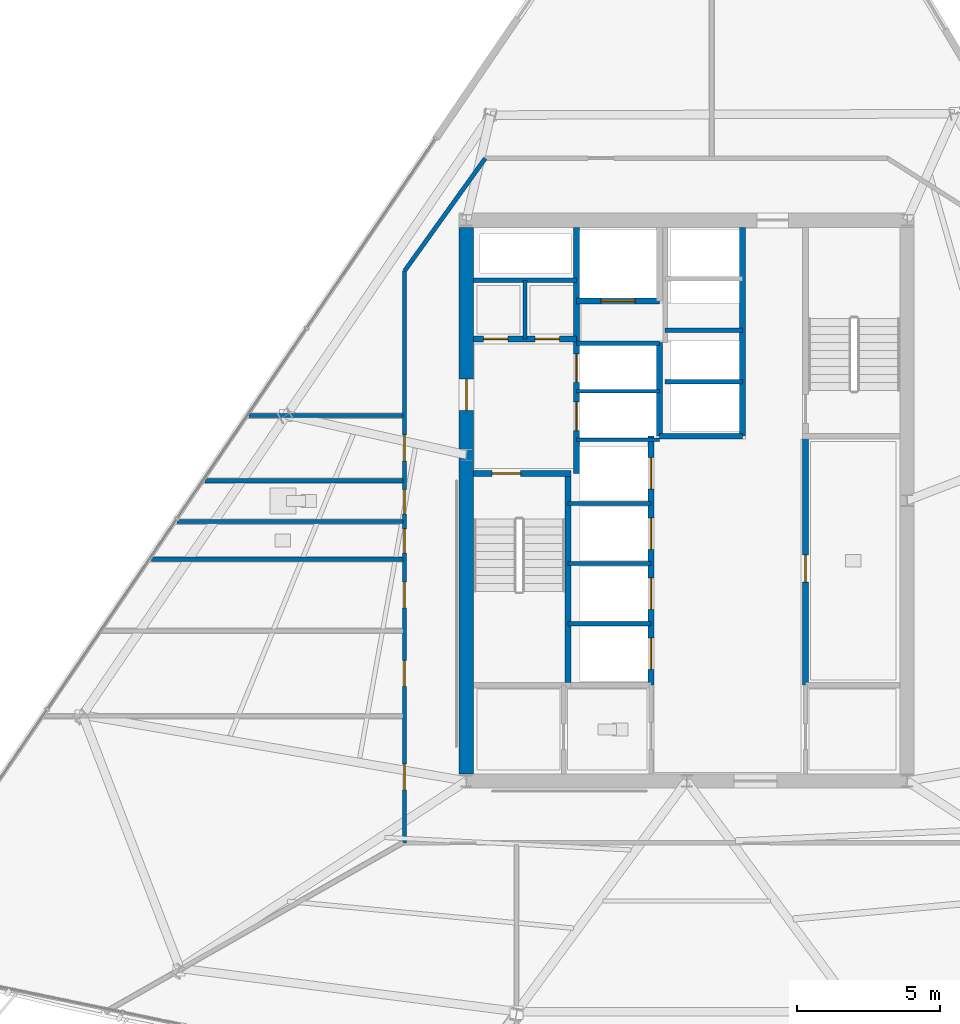
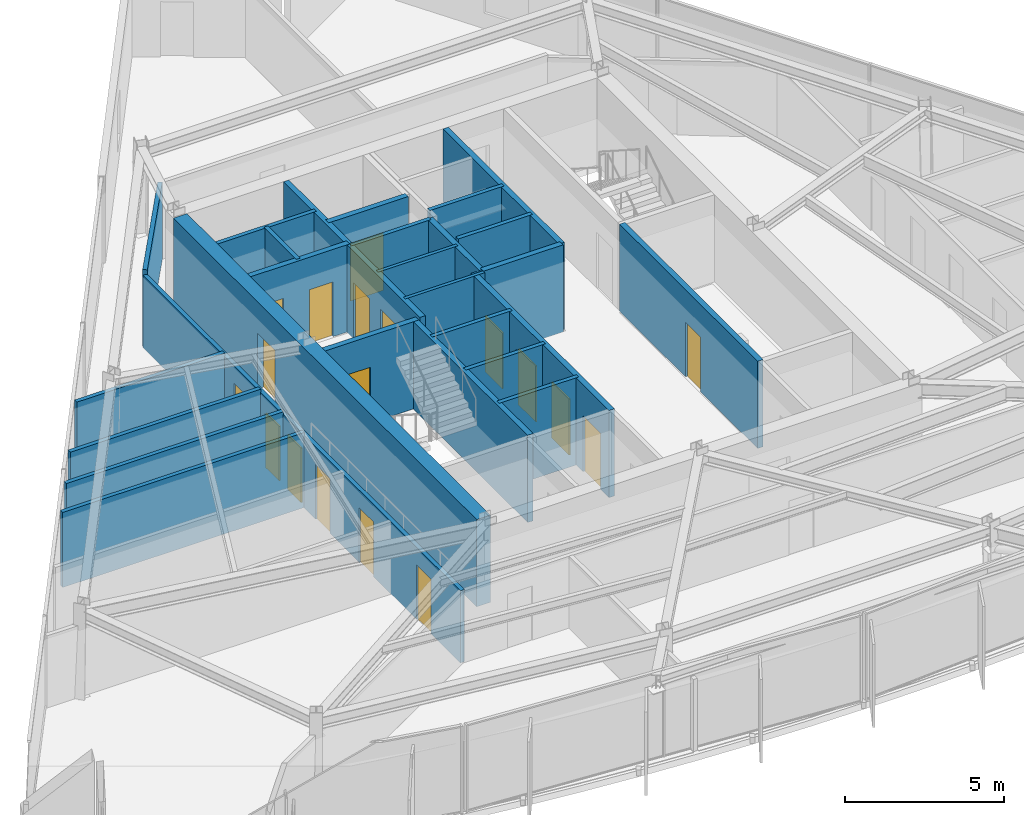
# One storey, part 9 of 16: 27 walls, 18 doors, 18 openings.
"""IFC4 building model written with IfcOpenShell, lengths in metres."""

from ifc_helpers import new_model, si_unit, direction, frame, frame_2d, origin, place, context, subcontext, project, spatial, rectangle, extrude, material, layer, layer_set, type_object, element, fill, save


model = new_model("IFC4")

# Units and contexts
model_context = context("Model", 3, precision=1e-05, world=origin(), true_north=direction((0.0, 1.0)))
body_context = subcontext(model_context, "Body", "Model", "MODEL_VIEW")
ifc_project = project(units=[si_unit("LENGTHUNIT", "METRE"), si_unit("AREAUNIT", "SQUARE_METRE"), si_unit("VOLUMEUNIT", "CUBIC_METRE"), si_unit("PLANEANGLEUNIT", "RADIAN"), si_unit("MASSUNIT", "GRAM", prefix="KILO")], contexts=[model_context])

# Site, building, storey
site_placement = place(None, origin())
site = spatial("IfcSite", under=ifc_project, at=site_placement, CompositionType="ELEMENT")
building_placement = place(site_placement, origin())
building = spatial("IfcBuilding", under=site, at=building_placement, Name="Savorim Split Tower", CompositionType="ELEMENT")
storey_placement = place(building_placement, frame((0.0, 0.0, 156.60009765625)))
storey = spatial("IfcBuildingStorey", under=building, at=storey_placement, Name="L41", CompositionType="ELEMENT", Elevation=156.60009765625)

# Wall, opening, door
ifc_material_1 = material(Name="Concrete C60/75", Category="concrete")
ifc_layer_1 = layer(ifc_material_1, 0.5)
ifc_layer_set_1 = layer_set([ifc_layer_1], Name="WAL-COR-SH500")
wall_type_1 = type_object("IfcWallType", Name="WAL-COR-SH500", PredefinedType="SHEAR", material=ifc_layer_set_1)
wall_1_placement = place(storey_placement, frame((-7.699951171875, -9.14990234375, 0.0), z_axis=(0.0, 0.0, 1.0), x_axis=(0.0, 1.0, 0.0)))
wall_1 = element("IfcWall", 1, at=wall_1_placement, inside=storey, type_object=wall_type_1, Name="L41 Offset Core West Shear Wall", PredefinedType="SHEAR", context=body_context, shape_type="SweptSolid", body=[
    extrude(rectangle(XDim=19.099853515625, YDim=0.5, at=frame_2d((9.5498046875, 0.0))), origin(), (0.0, 0.0, 1.0), 3.349853515625),
])
opening_1_placement = place(wall_1_placement, frame((12.699951171875, 0.0, 0.0)))
opening_1 = element("IfcOpeningElement", 2, at=opening_1_placement, cuts=wall_1, Name="Opening DI-03", PredefinedType="OPENING", context=body_context, shape_type="SweptSolid", body=[
    extrude(rectangle(XDim=1.10009765625, YDim=2.14990234375, at=frame_2d((0.550048828125, 1.074951171875))), frame((0.0, 0.260009765625, 0.0), z_axis=(0.0, -1.0, 0.0), x_axis=(1.0, 0.0, 0.0)), (0.0, 0.0, 1.0), 0.52001953125),
])
ifc_material_2 = material(Name="Timber Fire Door Leaf", Category="wood")
door_type_1 = type_object("IfcDoorType", Name="DOR-FIR-1100", OperationType="NOTDEFINED", PredefinedType="DOOR", material=ifc_material_2)
door_1_placement = place(opening_1_placement, origin())
door_1 = element("IfcDoor", 3, at=door_1_placement, inside=storey, type_object=door_type_1, Name="DOR-L41-COR-FFLOB - L41 Firefighting Lobby Corridor Door", OperationType="SINGLE_SWING_LEFT", OverallHeight=2.14990234375, OverallWidth=1.10009765625, PredefinedType="DOOR", context=body_context, shape_type="SweptSolid", body=[
    extrude(rectangle(XDim=1.10009765625, YDim=2.14990234375, at=frame_2d((0.550048828125, 1.074951171875))), frame((0.0, 0.02490234375, 0.0), z_axis=(0.0, -1.0, 0.0), x_axis=(1.0, 0.0, 0.0)), (0.0, 0.0, 1.0), 0.050048828125),
])
fill(opening_1, door_1)

ifc_material_3 = material(Name="Concrete C50/60", Category="concrete")
ifc_layer_2 = layer(ifc_material_3, 0.199951171875)
ifc_layer_set_2 = layer_set([ifc_layer_2], Name="WAL-INT-RC200")
wall_type_2 = type_object("IfcWallType", Name="WAL-INT-RC200", PredefinedType="SOLIDWALL", material=ifc_layer_set_2)
wall_2_placement = place(storey_placement, frame((-7.449951171875, 1.35009765625, 0.0), z_axis=(0.0, 0.0, 1.0), x_axis=(1.0, 0.0, 0.0)))
wall_2 = element("IfcWall", 4, at=wall_2_placement, inside=storey, type_object=wall_type_2, Name="L41 Structural Shaft Wall W-L41-CR01", PredefinedType="SOLIDWALL", context=body_context, shape_type="SweptSolid", body=[
    extrude(rectangle(XDim=3.39990234375, YDim=0.199951171875, at=frame_2d((1.699951171875, 0.0))), origin(), (0.0, 0.0, 1.0), 3.349853515625),
])
opening_2_placement = place(wall_2_placement, frame((0.64990234375, 0.0, 0.0)))
opening_2 = element("IfcOpeningElement", 5, at=opening_2_placement, cuts=wall_2, Name="Opening DI-04", PredefinedType="OPENING", context=body_context, shape_type="SweptSolid", body=[
    extrude(rectangle(XDim=1.0, YDim=2.14990234375, at=frame_2d((0.5, 1.074951171875))), frame((0.0, 0.10986328125, 0.0), z_axis=(0.0, -1.0, 0.0), x_axis=(1.0, 0.0, 0.0)), (0.0, 0.0, 1.0), 0.219970703125),
])
door_type_2 = type_object("IfcDoorType", Name="DOR-FIR-1000", OperationType="NOTDEFINED", PredefinedType="DOOR", material=ifc_material_2)
door_2_placement = place(opening_2_placement, origin())
door_2 = element("IfcDoor", 6, at=door_2_placement, inside=storey, type_object=door_type_2, Name="DR-L41-ST1 - L41 Stair ST-1 Enclosure Door", OperationType="SINGLE_SWING_LEFT", OverallHeight=2.14990234375, OverallWidth=1.0, PredefinedType="DOOR", context=body_context, shape_type="SweptSolid", body=[
    extrude(rectangle(XDim=1.0, YDim=2.14990234375, at=frame_2d((0.5, 1.074951171875))), frame((0.0, 0.02490234375, 0.0), z_axis=(0.0, -1.0, 0.0), x_axis=(1.0, 0.0, 0.0)), (0.0, 0.0, 1.0), 0.050048828125),
])
fill(opening_2, door_2)

# Wall
wall_3_placement = place(storey_placement, frame((-4.14990234375, -5.949951171875, 0.0), z_axis=(0.0, 0.0, 1.0), x_axis=(0.0, 1.0, 0.0)))
element("IfcWall", 7, at=wall_3_placement, inside=storey, type_object=wall_type_2, Name="L41 Structural Shaft Wall W-L41-CR02", PredefinedType="SOLIDWALL", context=body_context, shape_type="SweptSolid", body=[
    extrude(rectangle(XDim=7.199951171875, YDim=0.199951171875, at=frame_2d((3.60009765625, 0.0))), origin(), (0.0, 0.0, 1.0), 3.349853515625),
])

# Wall, openings, doors
wall_4_placement = place(storey_placement, frame((-3.85009765625, 1.35009765625, 0.0), z_axis=(0.0, 0.0, 1.0), x_axis=(0.0, 1.0, 0.0)))
wall_4 = element("IfcWall", 8, at=wall_4_placement, inside=storey, type_object=wall_type_2, Name="L41 Partition W-L41-CR03", PredefinedType="SOLIDWALL", context=body_context, shape_type="SweptSolid", body=[
    extrude(rectangle(XDim=8.594970703125, YDim=0.199951171875, at=frame_2d((4.29736328125, 0.0))), origin(), (0.0, 0.0, 1.0), 3.349853515625),
])
opening_3_placement = place(wall_4_placement, frame((1.5, 0.0, 0.0)))
opening_3 = element("IfcOpeningElement", 9, at=opening_3_placement, cuts=wall_4, Name="Opening LD-FFL", PredefinedType="OPENING", context=body_context, shape_type="SweptSolid", body=[
    extrude(rectangle(XDim=1.0, YDim=2.14990234375, at=frame_2d((0.5, 1.074951171875))), frame((0.0, 0.10986328125, 0.0), z_axis=(0.0, -1.0, 0.0), x_axis=(1.0, 0.0, 0.0)), (0.0, 0.0, 1.0), 0.219970703125),
])
opening_4_placement = place(wall_4_placement, frame((3.179931640625, 0.0, 0.0)))
opening_4 = element("IfcOpeningElement", 10, at=opening_4_placement, cuts=wall_4, Name="Opening LD-FFL", PredefinedType="OPENING", context=body_context, shape_type="SweptSolid", body=[
    extrude(rectangle(XDim=1.0, YDim=2.14990234375, at=frame_2d((0.5, 1.074951171875))), frame((0.0, 0.10986328125, 0.0), z_axis=(0.0, -1.0, 0.0), x_axis=(1.0, 0.0, 0.0)), (0.0, 0.0, 1.0), 0.219970703125),
])
ifc_material_4 = material(Name="Charcoal Anodised Aluminium", Category="aluminium")
door_type_3 = type_object("IfcDoorType", Name="DOR-SLD-LD1000", OperationType="NOTDEFINED", PredefinedType="DOOR", material=ifc_material_4)
door_3_placement = place(opening_3_placement, origin())
door_3 = element("IfcDoor", 11, at=door_3_placement, inside=storey, type_object=door_type_3, Name="DR-L41-LD-FFL1 - L41 Firefighting Lift FFL-1 Sliding Landing Door", OperationType="DOUBLE_DOOR_SLIDING", OverallHeight=2.14990234375, OverallWidth=1.0, PredefinedType="DOOR", context=body_context, shape_type="SweptSolid", body=[
    extrude(rectangle(XDim=1.0, YDim=2.14990234375, at=frame_2d((0.5, 1.074951171875))), frame((0.0, 0.02490234375, 0.0), z_axis=(0.0, -1.0, 0.0), x_axis=(1.0, 0.0, 0.0)), (0.0, 0.0, 1.0), 0.050048828125),
])
fill(opening_3, door_3)
door_4_placement = place(opening_4_placement, origin())
door_4 = element("IfcDoor", 12, at=door_4_placement, inside=storey, type_object=door_type_3, Name="DR-L41-LD-FFL2 - L41 Firefighting Lift FFL-2 Sliding Landing Door", OperationType="DOUBLE_DOOR_SLIDING", OverallHeight=2.14990234375, OverallWidth=1.0, PredefinedType="DOOR", context=body_context, shape_type="SweptSolid", body=[
    extrude(rectangle(XDim=1.0, YDim=2.14990234375, at=frame_2d((0.5, 1.074951171875))), frame((0.0, 0.02490234375, 0.0), z_axis=(0.0, -1.0, 0.0), x_axis=(1.0, 0.0, 0.0)), (0.0, 0.0, 1.0), 0.050048828125),
])
fill(opening_4, door_4)

wall_5_placement = place(storey_placement, frame((-7.445068359375, 6.050048828125, 0.0), z_axis=(0.0, 0.0, 1.0), x_axis=(1.0, 0.0, 0.0)))
wall_5 = element("IfcWall", 13, at=wall_5_placement, inside=storey, type_object=wall_type_2, Name="L41 Partition W-L41-CR04", PredefinedType="SOLIDWALL", context=body_context, shape_type="SweptSolid", body=[
    extrude(rectangle(XDim=3.594970703125, YDim=0.199951171875, at=frame_2d((1.79736328125, 0.0))), origin(), (0.0, 0.0, 1.0), 3.349853515625),
])
opening_5_placement = place(wall_5_placement, frame((0.344970703125, 0.0, 0.0)))
opening_5 = element("IfcOpeningElement", 14, at=opening_5_placement, cuts=wall_5, Name="Opening DI-12", PredefinedType="OPENING", context=body_context, shape_type="SweptSolid", body=[
    extrude(rectangle(XDim=0.85009765625, YDim=2.10009765625, at=frame_2d((0.425048828125, 1.050048828125))), frame((0.0, 0.10986328125, 0.0), z_axis=(0.0, -1.0, 0.0), x_axis=(1.0, 0.0, 0.0)), (0.0, 0.0, 1.0), 0.219970703125),
])
opening_6_placement = place(wall_5_placement, frame((2.14501953125, 0.0, 0.0)))
opening_6 = element("IfcOpeningElement", 15, at=opening_6_placement, cuts=wall_5, Name="Opening DI-12", PredefinedType="OPENING", context=body_context, shape_type="SweptSolid", body=[
    extrude(rectangle(XDim=0.85009765625, YDim=2.10009765625, at=frame_2d((0.425048828125, 1.050048828125))), frame((0.0, 0.10986328125, 0.0), z_axis=(0.0, -1.0, 0.0), x_axis=(1.0, 0.0, 0.0)), (0.0, 0.0, 1.0), 0.219970703125),
])
ifc_material_5 = material(Name="Galvanised Painted Steel Balustrade", Category="steel")
door_type_4 = type_object("IfcDoorType", Name="DOR-RIS-850", OperationType="NOTDEFINED", PredefinedType="DOOR", material=ifc_material_5)
door_5_placement = place(opening_5_placement, origin())
door_5 = element("IfcDoor", 16, at=door_5_placement, inside=storey, type_object=door_type_4, Name="DR-L41-ELR - L41 Electrical Riser Access Door", OperationType="SINGLE_SWING_RIGHT", OverallHeight=2.10009765625, OverallWidth=0.85009765625, PredefinedType="DOOR", context=body_context, shape_type="SweptSolid", body=[
    extrude(rectangle(XDim=0.85009765625, YDim=2.10009765625, at=frame_2d((0.425048828125, 1.050048828125))), frame((0.0, 0.02490234375, 0.0), z_axis=(0.0, -1.0, 0.0), x_axis=(1.0, 0.0, 0.0)), (0.0, 0.0, 1.0), 0.050048828125),
])
fill(opening_5, door_5)
door_6_placement = place(opening_6_placement, origin())
door_6 = element("IfcDoor", 17, at=door_6_placement, inside=storey, type_object=door_type_4, Name="DR-L41-TLR - L41 Telecom Riser Access Door", OperationType="SINGLE_SWING_LEFT", OverallHeight=2.10009765625, OverallWidth=0.85009765625, PredefinedType="DOOR", context=body_context, shape_type="SweptSolid", body=[
    extrude(rectangle(XDim=0.85009765625, YDim=2.10009765625, at=frame_2d((0.425048828125, 1.050048828125))), frame((0.0, 0.02490234375, 0.0), z_axis=(0.0, -1.0, 0.0), x_axis=(1.0, 0.0, 0.0)), (0.0, 0.0, 1.0), 0.050048828125),
])
fill(opening_6, door_6)

# Wall
wall_6_placement = place(storey_placement, frame((-0.949951171875, 2.64990234375, 0.0), z_axis=(0.0, 0.0, 1.0), x_axis=(0.0, 1.0, 0.0)))
element("IfcWall", 18, at=wall_6_placement, inside=storey, type_object=wall_type_2, Name="L41 Partition W-L41-FFLW", PredefinedType="SOLIDWALL", context=body_context, shape_type="SweptSolid", body=[
    extrude(rectangle(XDim=3.27001953125, YDim=0.199951171875, at=frame_2d((1.635009765625, 0.0))), origin(), (0.0, 0.0, 1.0), 3.349853515625),
])

# Wall, opening, door
wall_7_placement = place(storey_placement, frame((-3.85009765625, 7.3798828125, 0.0), z_axis=(0.0, 0.0, 1.0), x_axis=(1.0, 0.0, 0.0)))
wall_7 = element("IfcWall", 19, at=wall_7_placement, inside=storey, type_object=wall_type_2, Name="L41 Partition W-L41-SVLS", PredefinedType="SOLIDWALL", context=body_context, shape_type="SweptSolid", body=[
    extrude(rectangle(XDim=2.900146484375, YDim=0.199951171875, at=frame_2d((1.4501953125, 0.0))), origin(), (0.0, 0.0, 1.0), 3.349853515625),
])
opening_7_placement = place(wall_7_placement, frame((0.85009765625, 0.0, 0.0)))
opening_7 = element("IfcOpeningElement", 20, at=opening_7_placement, cuts=wall_7, Name="Opening LD-SV", PredefinedType="OPENING", context=body_context, shape_type="SweptSolid", body=[
    extrude(rectangle(XDim=1.199951171875, YDim=2.199951171875, at=frame_2d((0.60009765625, 1.10009765625))), frame((0.0, 0.10986328125, 0.0), z_axis=(0.0, -1.0, 0.0), x_axis=(1.0, 0.0, 0.0)), (0.0, 0.0, 1.0), 0.219970703125),
])
door_type_5 = type_object("IfcDoorType", Name="DOR-SLD-SV1200", OperationType="NOTDEFINED", PredefinedType="DOOR", material=ifc_material_4)
door_7_placement = place(opening_7_placement, origin())
door_7 = element("IfcDoor", 21, at=door_7_placement, inside=storey, type_object=door_type_5, Name="DR-L41-LD-SVL1 - L41 Service Lift SVL-1 Sliding Landing Door", OperationType="DOUBLE_DOOR_SLIDING", OverallHeight=2.199951171875, OverallWidth=1.199951171875, PredefinedType="DOOR", context=body_context, shape_type="SweptSolid", body=[
    extrude(rectangle(XDim=1.199951171875, YDim=2.199951171875, at=frame_2d((0.60009765625, 1.10009765625))), frame((0.0, 0.02490234375, 0.0), z_axis=(0.0, -1.0, 0.0), x_axis=(1.0, 0.0, 0.0)), (0.0, 0.0, 1.0), 0.050048828125),
])
fill(opening_7, door_7)

wall_8_placement = place(storey_placement, frame((4.14990234375, -6.050048828125, 0.0), z_axis=(0.0, 0.0, 1.0), x_axis=(0.0, 1.0, 0.0)))
wall_8 = element("IfcWall", 22, at=wall_8_placement, inside=storey, type_object=wall_type_2, Name="L41 Partition W-L41-B1FRONT", PredefinedType="SOLIDWALL", context=body_context, shape_type="SweptSolid", body=[
    extrude(rectangle(XDim=8.699951171875, YDim=0.199951171875, at=frame_2d((4.35009765625, 0.0))), origin(), (0.0, 0.0, 1.0), 3.349853515625),
])
opening_8_placement = place(wall_8_placement, frame((3.60009765625, 0.0, 0.0)))
opening_8 = element("IfcOpeningElement", 23, at=opening_8_placement, cuts=wall_8, Name="Opening DI-05", PredefinedType="OPENING", context=body_context, shape_type="SweptSolid", body=[
    extrude(rectangle(XDim=0.949951171875, YDim=2.10009765625, at=frame_2d((0.47509765625, 1.050048828125))), frame((0.0, 0.10986328125, 0.0), z_axis=(0.0, -1.0, 0.0), x_axis=(1.0, 0.0, 0.0)), (0.0, 0.0, 1.0), 0.219970703125),
])
door_type_6 = type_object("IfcDoorType", Name="DOR-FIR-950", OperationType="NOTDEFINED", PredefinedType="DOOR", material=ifc_material_2)
door_8_placement = place(opening_8_placement, origin())
door_8 = element("IfcDoor", 24, at=door_8_placement, inside=storey, type_object=door_type_6, Name="DR-L41-LV7B1 - L41 Community Laundry Room Door", OperationType="SINGLE_SWING_RIGHT", OverallHeight=2.10009765625, OverallWidth=0.949951171875, PredefinedType="DOOR", context=body_context, shape_type="SweptSolid", body=[
    extrude(rectangle(XDim=0.949951171875, YDim=2.10009765625, at=frame_2d((0.47509765625, 1.050048828125))), frame((0.0, 0.02490234375, 0.0), z_axis=(0.0, -1.0, 0.0), x_axis=(1.0, 0.0, 0.0)), (0.0, 0.0, 1.0), 0.050048828125),
])
fill(opening_8, door_8)

# Wall, openings, doors
wall_9_placement = place(storey_placement, frame((-1.25, -6.050048828125, 0.0), z_axis=(0.0, 0.0, 1.0), x_axis=(0.0, 1.0, 0.0)))
wall_9 = element("IfcWall", 25, at=wall_9_placement, inside=storey, type_object=wall_type_2, Name="L41 Partition W-L41-B2FRONT", PredefinedType="SOLIDWALL", context=body_context, shape_type="SweptSolid", body=[
    extrude(rectangle(XDim=8.699951171875, YDim=0.199951171875, at=frame_2d((4.35009765625, 0.0))), origin(), (0.0, 0.0, 1.0), 3.349853515625),
])
opening_9_placement = place(wall_9_placement, frame((0.550048828125, 0.0, 0.0)))
opening_9 = element("IfcOpeningElement", 26, at=opening_9_placement, cuts=wall_9, Name="Opening LD-02", PredefinedType="OPENING", context=body_context, shape_type="SweptSolid", body=[
    extrude(rectangle(XDim=1.10009765625, YDim=2.14990234375, at=frame_2d((0.550048828125, 1.074951171875))), frame((0.0, 0.10986328125, 0.0), z_axis=(0.0, -1.0, 0.0), x_axis=(1.0, 0.0, 0.0)), (0.0, 0.0, 1.0), 0.219970703125),
])
opening_10_placement = place(wall_9_placement, frame((2.64990234375, 0.0, 0.0)))
opening_10 = element("IfcOpeningElement", 27, at=opening_10_placement, cuts=wall_9, Name="Opening LD-02", PredefinedType="OPENING", context=body_context, shape_type="SweptSolid", body=[
    extrude(rectangle(XDim=1.10009765625, YDim=2.14990234375, at=frame_2d((0.550048828125, 1.074951171875))), frame((0.0, 0.10986328125, 0.0), z_axis=(0.0, -1.0, 0.0), x_axis=(1.0, 0.0, 0.0)), (0.0, 0.0, 1.0), 0.219970703125),
])
opening_11_placement = place(wall_9_placement, frame((4.75, 0.0, 0.0)))
opening_11 = element("IfcOpeningElement", 28, at=opening_11_placement, cuts=wall_9, Name="Opening LD-02", PredefinedType="OPENING", context=body_context, shape_type="SweptSolid", body=[
    extrude(rectangle(XDim=1.10009765625, YDim=2.14990234375, at=frame_2d((0.550048828125, 1.074951171875))), frame((0.0, 0.10986328125, 0.0), z_axis=(0.0, -1.0, 0.0), x_axis=(1.0, 0.0, 0.0)), (0.0, 0.0, 1.0), 0.219970703125),
])
opening_12_placement = place(wall_9_placement, frame((6.85009765625, 0.0, 0.0)))
opening_12 = element("IfcOpeningElement", 29, at=opening_12_placement, cuts=wall_9, Name="Opening LD-02", PredefinedType="OPENING", context=body_context, shape_type="SweptSolid", body=[
    extrude(rectangle(XDim=1.10009765625, YDim=2.14990234375, at=frame_2d((0.550048828125, 1.074951171875))), frame((0.0, 0.10986328125, 0.0), z_axis=(0.0, -1.0, 0.0), x_axis=(1.0, 0.0, 0.0)), (0.0, 0.0, 1.0), 0.219970703125),
])
door_type_7 = type_object("IfcDoorType", Name="DOR-SLD-LDM1100", OperationType="NOTDEFINED", PredefinedType="DOOR", material=ifc_material_4)
door_9_placement = place(opening_9_placement, origin())
door_9 = element("IfcDoor", 30, at=door_9_placement, inside=storey, type_object=door_type_7, Name="DR-L41-LD-PLM1 - L41 Lift PL-M1 Sliding Landing Door", OperationType="DOUBLE_DOOR_SLIDING", OverallHeight=2.14990234375, OverallWidth=1.10009765625, PredefinedType="DOOR", context=body_context, shape_type="SweptSolid", body=[
    extrude(rectangle(XDim=1.10009765625, YDim=2.14990234375, at=frame_2d((0.550048828125, 1.074951171875))), frame((0.0, 0.02490234375, 0.0), z_axis=(0.0, -1.0, 0.0), x_axis=(1.0, 0.0, 0.0)), (0.0, 0.0, 1.0), 0.050048828125),
])
fill(opening_9, door_9)
door_10_placement = place(opening_10_placement, origin())
door_10 = element("IfcDoor", 31, at=door_10_placement, inside=storey, type_object=door_type_7, Name="DR-L41-LD-PLM2 - L41 Lift PL-M2 Sliding Landing Door", OperationType="DOUBLE_DOOR_SLIDING", OverallHeight=2.14990234375, OverallWidth=1.10009765625, PredefinedType="DOOR", context=body_context, shape_type="SweptSolid", body=[
    extrude(rectangle(XDim=1.10009765625, YDim=2.14990234375, at=frame_2d((0.550048828125, 1.074951171875))), frame((0.0, 0.02490234375, 0.0), z_axis=(0.0, -1.0, 0.0), x_axis=(1.0, 0.0, 0.0)), (0.0, 0.0, 1.0), 0.050048828125),
])
fill(opening_10, door_10)
door_11_placement = place(opening_11_placement, origin())
door_11 = element("IfcDoor", 32, at=door_11_placement, inside=storey, type_object=door_type_7, Name="DR-L41-LD-PLM3 - L41 Lift PL-M3 Sliding Landing Door", OperationType="DOUBLE_DOOR_SLIDING", OverallHeight=2.14990234375, OverallWidth=1.10009765625, PredefinedType="DOOR", context=body_context, shape_type="SweptSolid", body=[
    extrude(rectangle(XDim=1.10009765625, YDim=2.14990234375, at=frame_2d((0.550048828125, 1.074951171875))), frame((0.0, 0.02490234375, 0.0), z_axis=(0.0, -1.0, 0.0), x_axis=(1.0, 0.0, 0.0)), (0.0, 0.0, 1.0), 0.050048828125),
])
fill(opening_11, door_11)
door_12_placement = place(opening_12_placement, origin())
door_12 = element("IfcDoor", 33, at=door_12_placement, inside=storey, type_object=door_type_7, Name="DR-L41-LD-PLM4 - L41 Lift PL-M4 Sliding Landing Door", OperationType="DOUBLE_DOOR_SLIDING", OverallHeight=2.14990234375, OverallWidth=1.10009765625, PredefinedType="DOOR", context=body_context, shape_type="SweptSolid", body=[
    extrude(rectangle(XDim=1.10009765625, YDim=2.14990234375, at=frame_2d((0.550048828125, 1.074951171875))), frame((0.0, 0.02490234375, 0.0), z_axis=(0.0, -1.0, 0.0), x_axis=(1.0, 0.0, 0.0)), (0.0, 0.0, 1.0), 0.050048828125),
])
fill(opening_12, door_12)

# Walls
wall_10_placement = place(storey_placement, frame((1.949951171875, 2.64990234375, 0.0), z_axis=(0.0, 0.0, 1.0), x_axis=(0.0, 1.0, 0.0)))
element("IfcWall", 34, at=wall_10_placement, inside=storey, type_object=wall_type_2, Name="L41 Partition W-L41-B3FRONT", PredefinedType="SOLIDWALL", context=body_context, shape_type="SweptSolid", body=[
    extrude(rectangle(XDim=7.295166015625, YDim=0.199951171875, at=frame_2d((3.6474609375, 0.0))), origin(), (0.0, 0.0, 1.0), 3.349853515625),
])
wall_11_placement = place(storey_placement, frame((-0.949951171875, 2.64990234375, 0.0), z_axis=(0.0, 0.0, 1.0), x_axis=(1.0, 0.0, 0.0)))
element("IfcWall", 35, at=wall_11_placement, inside=storey, type_object=wall_type_2, Name="L41 Partition W-L41-B3SOUTH", PredefinedType="SOLIDWALL", context=body_context, shape_type="SweptSolid", body=[
    extrude(rectangle(XDim=2.89990234375, YDim=0.199951171875, at=frame_2d((1.449951171875, 0.0))), origin(), (0.0, 0.0, 1.0), 3.349853515625),
])
ifc_material_6 = material(Name="Acoustic Gypsum Partition Board")
ifc_layer_3 = layer(ifc_material_6, 0.1201171875)
ifc_layer_set_3 = layer_set([ifc_layer_3], Name="WAL-PAR-120")
wall_type_3 = type_object("IfcWallType", Name="WAL-PAR-120", PredefinedType="PARTITIONING", material=ifc_layer_set_3)
for number, where, z_axis, x_axis, name in (
    (36, (-3.85009765625, 2.52001953125, 0.0), (0.0, 0.0, 1.0), (1.0, 0.0, 0.0), "L41 Partition W-L41-FFLD0"),
    (37, (-3.85009765625, 4.219970703125, 0.0), (0.0, 0.0, 1.0), (1.0, 0.0, 0.0), "L41 Partition W-L41-FFLD1"),
):
    element("IfcWall", number, at=place(storey_placement, frame(where, z_axis=z_axis, x_axis=x_axis)), inside=storey, type_object=wall_type_3, Name=name, PredefinedType="PARTITIONING", context=body_context, shape_type="SweptSolid", body=[
        extrude(rectangle(XDim=2.900146484375, YDim=0.1201171875, at=frame_2d((1.4501953125, 0.0))), origin(), (0.0, 0.0, 1.0), 3.349853515625),
    ])
ifc_layer_4 = layer(ifc_material_6, 0.14990234375)
ifc_layer_set_4 = layer_set([ifc_layer_4], Name="WAL-PAR-150")
wall_type_4 = type_object("IfcWallType", Name="WAL-PAR-150", PredefinedType="PARTITIONING", material=ifc_layer_set_4)
wall_12_placement = place(storey_placement, frame((-7.445068359375, 8.10009765625, 0.0), z_axis=(0.0, 0.0, 1.0), x_axis=(1.0, 0.0, 0.0)))
element("IfcWall", 38, at=wall_12_placement, inside=storey, type_object=wall_type_4, Name="L41 Partition W-L41-CR05", PredefinedType="PARTITIONING", context=body_context, shape_type="SweptSolid", body=[
    extrude(rectangle(XDim=3.594970703125, YDim=0.14990234375, at=frame_2d((1.79736328125, 0.0))), origin(), (0.0, 0.0, 1.0), 3.349853515625),
])
wall_13_placement = place(storey_placement, frame((-5.64990234375, 6.050048828125, 0.0), z_axis=(0.0, 0.0, 1.0), x_axis=(0.0, 1.0, 0.0)))
element("IfcWall", 39, at=wall_13_placement, inside=storey, type_object=wall_type_4, Name="L41 Partition W-L41-CR06", PredefinedType="PARTITIONING", context=body_context, shape_type="SweptSolid", body=[
    extrude(rectangle(XDim=2.050048828125, YDim=0.14990234375, at=frame_2d((1.02490234375, 0.0))), origin(), (0.0, 0.0, 1.0), 3.349853515625),
])
wall_14_placement = place(storey_placement, frame((-3.85009765625, 5.89990234375, 0.0), z_axis=(0.0, 0.0, 1.0), x_axis=(1.0, 0.0, 0.0)))
element("IfcWall", 40, at=wall_14_placement, inside=storey, type_object=wall_type_4, Name="L41 Partition W-L41-FFLD2", PredefinedType="PARTITIONING", context=body_context, shape_type="SweptSolid", body=[
    extrude(rectangle(XDim=2.900146484375, YDim=0.14990234375, at=frame_2d((1.4501953125, 0.0))), origin(), (0.0, 0.0, 1.0), 3.349853515625),
])
for number, where, z_axis, x_axis, name in (
    (41, (-4.14990234375, -3.89990234375, 0.0), (0.0, 0.0, 1.0), (1.0, 0.0, 0.0), "L41 Partition W-L41-B2DIV1"),
    (42, (-4.14990234375, -1.800048828125, 0.0), (0.0, 0.0, 1.0), (1.0, 0.0, 0.0), "L41 Partition W-L41-B2DIV2"),
    (43, (-4.14990234375, 0.300048828125, 0.0), (0.0, 0.0, 1.0), (1.0, 0.0, 0.0), "L41 Partition W-L41-B2DIV3"),
):
    element("IfcWall", number, at=place(storey_placement, frame(where, z_axis=z_axis, x_axis=x_axis)), inside=storey, type_object=wall_type_4, Name=name, PredefinedType="PARTITIONING", context=body_context, shape_type="SweptSolid", body=[
        extrude(rectangle(XDim=2.89990234375, YDim=0.14990234375, at=frame_2d((1.449951171875, 0.0))), origin(), (0.0, 0.0, 1.0), 3.349853515625),
    ])
for number, where, z_axis, x_axis, name in (
    (44, (-0.75, 4.550048828125, 0.0), (0.0, 0.0, 1.0), (1.0, 0.0, 0.0), "L41 Partition W-L41-B3DIV1"),
    (45, (-0.75, 6.35009765625, 0.0), (0.0, 0.0, 1.0), (1.0, 0.0, 0.0), "L41 Partition W-L41-B3DIV2"),
):
    element("IfcWall", number, at=place(storey_placement, frame(where, z_axis=z_axis, x_axis=x_axis)), inside=storey, type_object=wall_type_4, Name=name, PredefinedType="PARTITIONING", context=body_context, shape_type="SweptSolid", body=[
        extrude(rectangle(XDim=2.699951171875, YDim=0.14990234375, at=frame_2d((1.35009765625, 0.0))), origin(), (0.0, 0.0, 1.0), 3.349853515625),
    ])

# Wall, openings, doors
wall_15_placement = place(storey_placement, frame((-9.860107421875, -11.56005859375, 0.0), z_axis=(0.0, 0.0, 1.0), x_axis=(0.0, 1.0, 0.0)))
wall_15 = element("IfcWall", 46, at=wall_15_placement, inside=storey, type_object=wall_type_4, Name="L41 Partition W-L41-COR-01", PredefinedType="PARTITIONING", context=body_context, shape_type="SweptSolid", body=[
    extrude(rectangle(XDim=19.98583984375, YDim=0.14990234375, at=frame_2d((9.992919921875, 0.0))), origin(), (0.0, 0.0, 1.0), 2.77490234375),
])
opening_13_placement = place(wall_15_placement, frame((11.4931640625, 0.0, 0.0)))
opening_13 = element("IfcOpeningElement", 47, at=opening_13_placement, cuts=wall_15, Name="Opening DI-13", PredefinedType="OPENING", context=body_context, shape_type="SweptSolid", body=[
    extrude(rectangle(XDim=0.85009765625, YDim=2.10009765625, at=frame_2d((0.425048828125, 1.050048828125))), frame((0.0, 0.0849609375, 0.0), z_axis=(0.0, -1.0, 0.0), x_axis=(1.0, 0.0, 0.0)), (0.0, 0.0, 1.0), 0.169921875),
])
opening_14_placement = place(wall_15_placement, frame((10.121826171875, 0.0, 0.0)))
opening_14 = element("IfcOpeningElement", 48, at=opening_14_placement, cuts=wall_15, Name="Opening DI-13", PredefinedType="OPENING", context=body_context, shape_type="SweptSolid", body=[
    extrude(rectangle(XDim=0.85009765625, YDim=2.10009765625, at=frame_2d((0.425048828125, 1.050048828125))), frame((0.0, 0.0849609375, 0.0), z_axis=(0.0, -1.0, 0.0), x_axis=(1.0, 0.0, 0.0)), (0.0, 0.0, 1.0), 0.169921875),
])
opening_15_placement = place(wall_15_placement, frame((8.2109375, 0.0, 0.0)))
opening_15 = element("IfcOpeningElement", 49, at=opening_15_placement, cuts=wall_15, Name="Opening DI-06", PredefinedType="OPENING", context=body_context, shape_type="SweptSolid", body=[
    extrude(rectangle(XDim=0.89990234375, YDim=2.10009765625, at=frame_2d((0.449951171875, 1.050048828125))), frame((0.0, 0.0849609375, 0.0), z_axis=(0.0, -1.0, 0.0), x_axis=(1.0, 0.0, 0.0)), (0.0, 0.0, 1.0), 0.169921875),
])
opening_16_placement = place(wall_15_placement, frame((5.468017578125, 0.0, 0.0)))
opening_16 = element("IfcOpeningElement", 50, at=opening_16_placement, cuts=wall_15, Name="Opening DI-06", PredefinedType="OPENING", context=body_context, shape_type="SweptSolid", body=[
    extrude(rectangle(XDim=0.89990234375, YDim=2.10009765625, at=frame_2d((0.449951171875, 1.050048828125))), frame((0.0, 0.0849609375, 0.0), z_axis=(0.0, -1.0, 0.0), x_axis=(1.0, 0.0, 0.0)), (0.0, 0.0, 1.0), 0.169921875),
])
opening_17_placement = place(wall_15_placement, frame((1.85400390625, 0.0, 0.0)))
opening_17 = element("IfcOpeningElement", 51, at=opening_17_placement, cuts=wall_15, Name="Opening DI-06", PredefinedType="OPENING", context=body_context, shape_type="SweptSolid", body=[
    extrude(rectangle(XDim=0.89990234375, YDim=2.10009765625, at=frame_2d((0.449951171875, 1.050048828125))), frame((0.0, 0.0849609375, 0.0), z_axis=(0.0, -1.0, 0.0), x_axis=(1.0, 0.0, 0.0)), (0.0, 0.0, 1.0), 0.169921875),
])
opening_18_placement = place(wall_15_placement, frame((13.345703125, 0.0, 0.0)))
opening_18 = element("IfcOpeningElement", 52, at=opening_18_placement, cuts=wall_15, Name="Opening DI-06", PredefinedType="OPENING", context=body_context, shape_type="SweptSolid", body=[
    extrude(rectangle(XDim=0.89990234375, YDim=2.10009765625, at=frame_2d((0.449951171875, 1.050048828125))), frame((0.0, 0.0849609375, 0.0), z_axis=(0.0, -1.0, 0.0), x_axis=(1.0, 0.0, 0.0)), (0.0, 0.0, 1.0), 0.169921875),
])
door_type_8 = type_object("IfcDoorType", Name="DOR-FIR-850", OperationType="NOTDEFINED", PredefinedType="DOOR", material=ifc_material_2)
door_13_placement = place(opening_13_placement, origin())
door_13 = element("IfcDoor", 53, at=door_13_placement, inside=storey, type_object=door_type_8, Name="DR-L41-RM01 - L41 Shared Bathroom Entry Door", OperationType="SINGLE_SWING_RIGHT", OverallHeight=2.10009765625, OverallWidth=0.85009765625, PredefinedType="DOOR", context=body_context, shape_type="SweptSolid", body=[
    extrude(rectangle(XDim=0.85009765625, YDim=2.10009765625, at=frame_2d((0.425048828125, 1.050048828125))), frame((0.0, 0.02490234375, 0.0), z_axis=(0.0, -1.0, 0.0), x_axis=(1.0, 0.0, 0.0)), (0.0, 0.0, 1.0), 0.050048828125),
])
fill(opening_13, door_13)
door_14_placement = place(opening_14_placement, origin())
door_14 = element("IfcDoor", 54, at=door_14_placement, inside=storey, type_object=door_type_8, Name="DR-L41-RM02 - L41 Shared Kitchen Entry Door", OperationType="SINGLE_SWING_LEFT", OverallHeight=2.10009765625, OverallWidth=0.85009765625, PredefinedType="DOOR", context=body_context, shape_type="SweptSolid", body=[
    extrude(rectangle(XDim=0.85009765625, YDim=2.10009765625, at=frame_2d((0.425048828125, 1.050048828125))), frame((0.0, 0.02490234375, 0.0), z_axis=(0.0, -1.0, 0.0), x_axis=(1.0, 0.0, 0.0)), (0.0, 0.0, 1.0), 0.050048828125),
])
fill(opening_14, door_14)
door_type_9 = type_object("IfcDoorType", Name="DOR-FIR-900", OperationType="NOTDEFINED", PredefinedType="DOOR", material=ifc_material_2)
door_15_placement = place(opening_15_placement, origin())
door_15 = element("IfcDoor", 55, at=door_15_placement, inside=storey, type_object=door_type_9, Name="DR-L41-RM03 - L41 Co-Living Bedroom Entry Door", OperationType="SINGLE_SWING_RIGHT", OverallHeight=2.10009765625, OverallWidth=0.89990234375, PredefinedType="DOOR", context=body_context, shape_type="SweptSolid", body=[
    extrude(rectangle(XDim=0.89990234375, YDim=2.10009765625, at=frame_2d((0.449951171875, 1.050048828125))), frame((0.0, 0.02490234375, 0.0), z_axis=(0.0, -1.0, 0.0), x_axis=(1.0, 0.0, 0.0)), (0.0, 0.0, 1.0), 0.050048828125),
])
fill(opening_15, door_15)
door_16_placement = place(opening_16_placement, origin())
door_16 = element("IfcDoor", 56, at=door_16_placement, inside=storey, type_object=door_type_9, Name="DR-L41-RM04 - L41 Co-Working Commons Entry Door", OperationType="SINGLE_SWING_LEFT", OverallHeight=2.10009765625, OverallWidth=0.89990234375, PredefinedType="DOOR", context=body_context, shape_type="SweptSolid", body=[
    extrude(rectangle(XDim=0.89990234375, YDim=2.10009765625, at=frame_2d((0.449951171875, 1.050048828125))), frame((0.0, 0.02490234375, 0.0), z_axis=(0.0, -1.0, 0.0), x_axis=(1.0, 0.0, 0.0)), (0.0, 0.0, 1.0), 0.050048828125),
])
fill(opening_16, door_16)
door_17_placement = place(opening_17_placement, origin())
door_17 = element("IfcDoor", 57, at=door_17_placement, inside=storey, type_object=door_type_9, Name="DR-L41-RM05 - L41 Co-Working Commons Entry Door", OperationType="SINGLE_SWING_RIGHT", OverallHeight=2.10009765625, OverallWidth=0.89990234375, PredefinedType="DOOR", context=body_context, shape_type="SweptSolid", body=[
    extrude(rectangle(XDim=0.89990234375, YDim=2.10009765625, at=frame_2d((0.449951171875, 1.050048828125))), frame((0.0, 0.02490234375, 0.0), z_axis=(0.0, -1.0, 0.0), x_axis=(1.0, 0.0, 0.0)), (0.0, 0.0, 1.0), 0.050048828125),
])
fill(opening_17, door_17)
door_18_placement = place(opening_18_placement, origin())
door_18 = element("IfcDoor", 58, at=door_18_placement, inside=storey, type_object=door_type_9, Name="DR-L41-RM15 - L41 Maker Workshop Entry Door", OperationType="SINGLE_SWING_RIGHT", OverallHeight=2.10009765625, OverallWidth=0.89990234375, PredefinedType="DOOR", context=body_context, shape_type="SweptSolid", body=[
    extrude(rectangle(XDim=0.89990234375, YDim=2.10009765625, at=frame_2d((0.449951171875, 1.050048828125))), frame((0.0, 0.02490234375, 0.0), z_axis=(0.0, -1.0, 0.0), x_axis=(1.0, 0.0, 0.0)), (0.0, 0.0, 1.0), 0.050048828125),
])
fill(opening_18, door_18)

# Walls
wall_16_placement = place(storey_placement, frame((-9.860107421875, 8.42578125, 0.0), z_axis=(0.0, 0.0, 1.0), x_axis=(0.582449511476, 0.812866881218, 0.0)))
element("IfcWall", 59, at=wall_16_placement, inside=storey, type_object=wall_type_4, Name="L41 Partition W-L41-COR-02", PredefinedType="PARTITIONING", context=body_context, shape_type="SweptSolid", body=[
    extrude(rectangle(XDim=4.840087890625, YDim=0.14990234375, at=frame_2d((2.419921875, 0.0))), origin(), (0.0, 0.0, 1.0), 2.96484375),
])
wall_17_placement = place(storey_placement, frame((-9.919921875, 3.373046875, 0.0), z_axis=(0.0, 0.0, 1.0), x_axis=(-1.0, 0.0, 0.0)))
element("IfcWall", 60, at=wall_17_placement, inside=storey, type_object=wall_type_4, Name="L41 Partition W-L41-PRAD09", PredefinedType="PARTITIONING", context=body_context, shape_type="SweptSolid", body=[
    extrude(rectangle(XDim=5.3740234375, YDim=0.14990234375, at=frame_2d((2.68701171875, 0.0))), origin(), (0.0, 0.0, 1.0), 2.885009765625),
])
wall_18_placement = place(storey_placement, frame((-9.919921875, -1.64453125, 0.0), z_axis=(0.0, 0.0, 1.0), x_axis=(-1.0, 0.0, 0.0)))
element("IfcWall", 61, at=wall_18_placement, inside=storey, type_object=wall_type_4, Name="L41 Partition W-L41-SUB01", PredefinedType="PARTITIONING", context=body_context, shape_type="SweptSolid", body=[
    extrude(rectangle(XDim=8.78759765625, YDim=0.14990234375, at=frame_2d((4.393798828125, 0.0))), origin(), (0.0, 0.0, 1.0), 2.885009765625),
])
wall_19_placement = place(storey_placement, frame((-9.919921875, 1.09814453125, 0.0), z_axis=(0.0, 0.0, 1.0), x_axis=(-0.999999999378, 3.5272124e-05, 0.0)))
element("IfcWall", 62, at=wall_19_placement, inside=storey, type_object=wall_type_4, Name="L41 Partition W-L41-SUB08", PredefinedType="PARTITIONING", context=body_context, shape_type="SweptSolid", body=[
    extrude(rectangle(XDim=6.921630859375, YDim=0.14990234375, at=frame_2d((3.4609375, 0.0))), origin(), (0.0, 0.0, 1.0), 2.885009765625),
])
wall_20_placement = place(storey_placement, frame((-9.919921875, -0.331787109375, 0.0), z_axis=(0.0, 0.0, 1.0), x_axis=(-1.0, 0.0, 0.0)))
element("IfcWall", 63, at=wall_20_placement, inside=storey, type_object=wall_type_4, Name="L41 Partition W-L41-SUB09", PredefinedType="PARTITIONING", context=body_context, shape_type="SweptSolid", body=[
    extrude(rectangle(XDim=7.894287109375, YDim=0.14990234375, at=frame_2d((3.947265625, 0.0))), origin(), (0.0, 0.0, 1.0), 2.885009765625),
])

save(model, "model.ifc")
